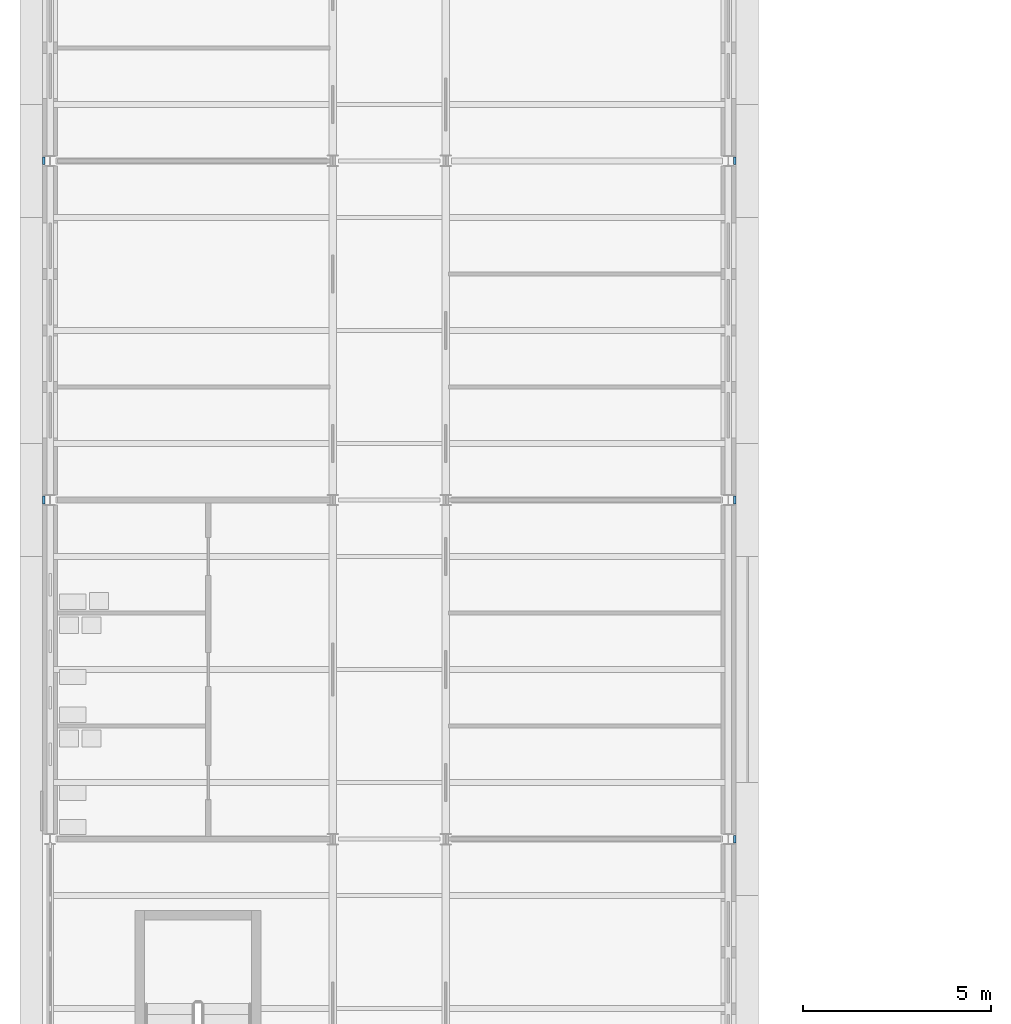
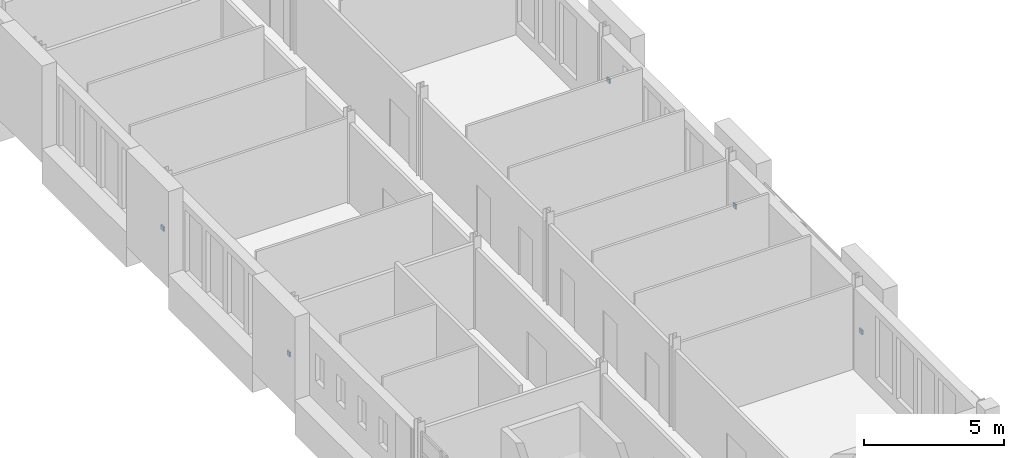
# One storey, part 119 of 154: 5 discrete accessories.
"""IFC4 building model written with IfcOpenShell, lengths in metres."""

import ifcopenshell
import ifcopenshell.guid

model = None  # the IFC model being written
_history = None  # IfcOwnerHistory: only IFC2X3 demands one
_inside = {}  # id of a spatial element -> (the spatial element, [elements in it])
_under = {}  # id of a project, library or spatial element -> (it, [spatial elements below it])
_declared = {}  # id of a project -> (the project, [libraries it declares])
_typed = {}  # id of a type object -> (the type object, [elements of that type])
_made_of = {}  # id of a material, layer set ... -> (it, [elements and type objects made of it])


def new_model(schema):
    """Start an empty IFC model of exactly this schema.

    Asked for "IFC4X3", IfcOpenShell would pick the latest addendum, in which some entities
    have other attributes; the version numbers below select the first issue.
    IFC2X3 requires an IfcOwnerHistory on every rooted entity: one is made here for all.
    """
    global model, _history
    if schema == "IFC4X3":
        model = ifcopenshell.file(schema_version=(4, 3, 0, 0))
    else:
        model = ifcopenshell.file(schema=schema)
    _inside.clear()
    _under.clear()
    _declared.clear()
    _typed.clear()
    _made_of.clear()
    _history = None
    if model.schema == "IFC2X3":
        org = make("IfcOrganization", Name="unknown")
        user = make(
            "IfcPersonAndOrganization",
            ThePerson=make("IfcPerson", FamilyName="unknown"),
            TheOrganization=org,
        )
        app = make(
            "IfcApplication",
            ApplicationDeveloper=org,
            Version="unknown",
            ApplicationFullName="unknown",
            ApplicationIdentifier="unknown",
        )
        _history = make(
            "IfcOwnerHistory",
            OwningUser=user,
            OwningApplication=app,
            ChangeAction="ADDED",
            CreationDate=0,
        )
    return model


def make(cls, **values):
    """One entity of the class cls with the attributes given. An attribute that is None is left unset."""
    return model.create_entity(
        cls, **{name: value for name, value in values.items() if value is not None}
    )


def rooted(cls, **values):
    """An entity with a GlobalId (a new one), such as an element, a storey or a relation."""
    return make(cls, GlobalId=ifcopenshell.guid.new(), OwnerHistory=_history, **values)


def si_unit(unit_type, name, prefix=None):
    """IfcSIUnit, for example si_unit("LENGTHUNIT", "METRE", prefix="MILLI")."""
    return make("IfcSIUnit", UnitType=unit_type, Prefix=prefix, Name=name)


def assignment(units):
    """IfcUnitAssignment: the units of a project."""
    return None if units is None else make("IfcUnitAssignment", Units=units)


def point(xyz):
    """IfcCartesianPoint."""
    return None if xyz is None else make("IfcCartesianPoint", Coordinates=xyz)


def direction(xyz):
    """IfcDirection."""
    return None if xyz is None else make("IfcDirection", DirectionRatios=xyz)


def frame(location, z_axis=None, x_axis=None):
    """IfcAxis2Placement3D, a coordinate frame: its origin and axes. An axis left out is left unset."""
    return make(
        "IfcAxis2Placement3D",
        Location=point(location),
        Axis=direction(z_axis),
        RefDirection=direction(x_axis),
    )


def frame_2d(location, x_axis=None):
    """IfcAxis2Placement2D, a coordinate frame in the plane: its origin and x axis."""
    return make(
        "IfcAxis2Placement2D", Location=point(location), RefDirection=direction(x_axis)
    )


def origin():
    """The frame at (0, 0, 0) with its axes left unset."""
    return frame((0.0, 0.0, 0.0))


def origin_2d():
    """The frame at (0, 0) in the plane with its x axis left unset."""
    return frame_2d((0.0, 0.0))


def place(relative_to, where):
    """IfcLocalPlacement: puts the frame where relative to a parent placement (None: the world)."""
    return make(
        "IfcLocalPlacement", PlacementRelTo=relative_to, RelativePlacement=where
    )


def context(
    kind, dimensions, precision=None, world=None, true_north=None, identifier=None
):
    """IfcGeometricRepresentationContext, for example the 3D "Model" context."""
    return make(
        "IfcGeometricRepresentationContext",
        ContextIdentifier=identifier,
        ContextType=kind,
        CoordinateSpaceDimension=dimensions,
        Precision=precision,
        WorldCoordinateSystem=world,
        TrueNorth=true_north,
    )


def subcontext(parent, identifier, kind, view, scale=None):
    """IfcGeometricRepresentationSubContext, for example "Body" below "Model"."""
    return make(
        "IfcGeometricRepresentationSubContext",
        ContextIdentifier=identifier,
        ContextType=kind,
        ParentContext=parent,
        TargetScale=scale,
        TargetView=view,
    )


def project(units=None, contexts=None):
    """IfcProject with its units and contexts."""
    return rooted(
        "IfcProject",
        Name="project",
        RepresentationContexts=contexts,
        UnitsInContext=assignment(units),
    )


def spatial(cls, under=None, at=None, **own):
    """A site, building, storey or space (cls), placed at a placement, below another one or the project."""
    s = rooted(cls, ObjectPlacement=at, **own)
    if under is not None:
        _under.setdefault(under.id(), (under, []))[1].append(s)
    return s


def profile(cls, at=None, kind="AREA", **sizes):
    """A parametric profile (cls). Its sizes go by their IFC names, for example OverallWidth=200.0."""
    return make(cls, ProfileType=kind, Position=at, **sizes)


def rectangle(**sizes):
    """IfcRectangleProfileDef."""
    return profile("IfcRectangleProfileDef", **sizes)


def extrude(swept, where, along, depth):
    """IfcExtrudedAreaSolid: the profile swept, set in the frame where, extruded along a direction by depth."""
    return make(
        "IfcExtrudedAreaSolid",
        SweptArea=swept,
        Position=where,
        ExtrudedDirection=direction(along),
        Depth=depth,
    )


def shape(context_of_items, identifier, shape_type, items):
    """IfcShapeRepresentation: the items that make up one representation, for example the "Body"."""
    return make(
        "IfcShapeRepresentation",
        ContextOfItems=context_of_items,
        RepresentationIdentifier=identifier,
        RepresentationType=shape_type,
        Items=items,
    )


def material(Name=None, Category=None):
    """IfcMaterial."""
    return make("IfcMaterial", Name=Name, Category=Category)


def made_of(thing, what):
    """Note that an element or type object is made of a material, layer set ...; save() writes the relation."""
    if what is not None:
        _made_of.setdefault(what.id(), (what, []))[1].append(thing)
    return thing


def type_object(cls, material=None, **own):
    """A type object (cls), such as IfcWallType, which elements share."""
    return made_of(rooted(cls, **own), material)


def element(
    cls,
    number,
    at=None,
    inside=None,
    cuts=None,
    type_object=None,
    material=None,
    context=None,
    identifier="Body",
    shape_type=None,
    held_by="IfcProductDefinitionShape",
    body=None,
    shapes=None,
    **own,
):
    """One element of the class cls, such as IfcWall. Its Tag is "e" and its number.

    at: its placement. inside: the storey or other place that contains it. cuts: it is an
    opening in that element (IfcRelVoidsElement). A single representation is given by context,
    identifier, shape_type and body (its items); several are given by shapes. held_by: the class
    of the entity that holds the representations. save() writes the other relations.
    """
    e = rooted(cls, Tag="e%d" % number, ObjectPlacement=at, **own)
    if body is not None:
        shapes = [shape(context, identifier, shape_type, body)]
    if shapes is not None:
        e.Representation = make(held_by, Representations=shapes)
    if inside is not None:
        _inside.setdefault(inside.id(), (inside, []))[1].append(e)
    if cuts is not None:
        rooted(
            "IfcRelVoidsElement", RelatingBuildingElement=cuts, RelatedOpeningElement=e
        )
    if type_object is not None:
        _typed.setdefault(type_object.id(), (type_object, []))[1].append(e)
    return made_of(e, material)


def aggregate(whole, parts):
    """IfcRelAggregates: a whole, such as a stair, and the parts it consists of."""
    return rooted("IfcRelAggregates", RelatingObject=whole, RelatedObjects=parts)


def save(model, path):
    """Write the relations noted so far, then the file.

    IfcRelAggregates (storeys below a building ...), IfcRelContainedInSpatialStructure (elements
    in a storey), IfcRelDefinesByType, IfcRelAssociatesMaterial and IfcRelDeclares: one each for
    every whole, place, type object, material and project.
    """
    for whole, parts in _under.values():
        aggregate(whole, parts)
    for where, things in _inside.values():
        rooted(
            "IfcRelContainedInSpatialStructure",
            RelatedElements=things,
            RelatingStructure=where,
        )
    for kind, things in _typed.values():
        rooted("IfcRelDefinesByType", RelatedObjects=things, RelatingType=kind)
    for what, things in _made_of.values():
        rooted("IfcRelAssociatesMaterial", RelatedObjects=things, RelatingMaterial=what)
    for by, libraries in _declared.values():
        rooted("IfcRelDeclares", RelatingContext=by, RelatedDefinitions=libraries)
    model.write(path)


model = new_model("IFC4")

# Units and contexts
model_context = context("Model", 3, precision=1e-05, world=origin(), true_north=direction((0.0, 1.0)))
body_context = subcontext(model_context, "Body", "Model", "MODEL_VIEW")
ifc_project = project(units=[si_unit("LENGTHUNIT", "METRE"), si_unit("AREAUNIT", "SQUARE_METRE"), si_unit("VOLUMEUNIT", "CUBIC_METRE"), si_unit("PLANEANGLEUNIT", "RADIAN"), si_unit("MASSUNIT", "GRAM", prefix="KILO")], contexts=[model_context])

# Site, building, storey
site_placement = place(None, origin())
site = spatial("IfcSite", under=ifc_project, at=site_placement, CompositionType="ELEMENT")
building_placement = place(site_placement, origin())
building = spatial("IfcBuilding", under=site, at=building_placement, Name="Golden Quay Civic Hall", CompositionType="ELEMENT")
storey_placement = place(building_placement, frame((0.0, 0.0, 14.39990234375)))
storey = spatial("IfcBuildingStorey", under=building, at=storey_placement, Name="L03", CompositionType="ELEMENT", Elevation=14.39990234375)

# Discrete accessories
ifc_material = material(Name="Steel S355", Category="steel")
discrete_accessory_type = type_object("IfcDiscreteAccessoryType", Name="Pier fixing bracket 200 x 200", PredefinedType="BRACKET", material=ifc_material)
for number, where, z_axis, x_axis, name in (
    (1, (-0.169921875, 9.0, 1.39990234375), (0.0, 0.0, 1.0), (0.0, -1.0, 0.0), "Pier fixing bracket 200 x 200 L03 1"),
    (2, (-0.169921875, 18.0, 1.39990234375), (0.0, 0.0, 1.0), (0.0, -1.0, 0.0), "Pier fixing bracket 200 x 200 L03 2"),
    (3, (18.169921875, 0.0, 1.39990234375), (0.0, 0.0, 1.0), (0.0, 1.0, 0.0), "Pier fixing bracket 200 x 200 L03 8"),
    (4, (18.169921875, 9.0, 1.39990234375), (0.0, 0.0, 1.0), (0.0, 1.0, 0.0), "Pier fixing bracket 200 x 200 L03 9"),
    (5, (18.169921875, 18.0, 1.39990234375), (0.0, 0.0, 1.0), (0.0, 1.0, 0.0), "Pier fixing bracket 200 x 200 L03 10"),
):
    element("IfcDiscreteAccessory", number, at=place(storey_placement, frame(where, z_axis=z_axis, x_axis=x_axis)), inside=storey, type_object=discrete_accessory_type, Name=name, PredefinedType="BRACKET", context=body_context, shape_type="SweptSolid", body=[
        extrude(rectangle(XDim=0.199951171875, YDim=0.06005859375, at=origin_2d()), origin(), (0.0, 0.0, 1.0), 0.199951171875),
    ])

save(model, "model.ifc")
